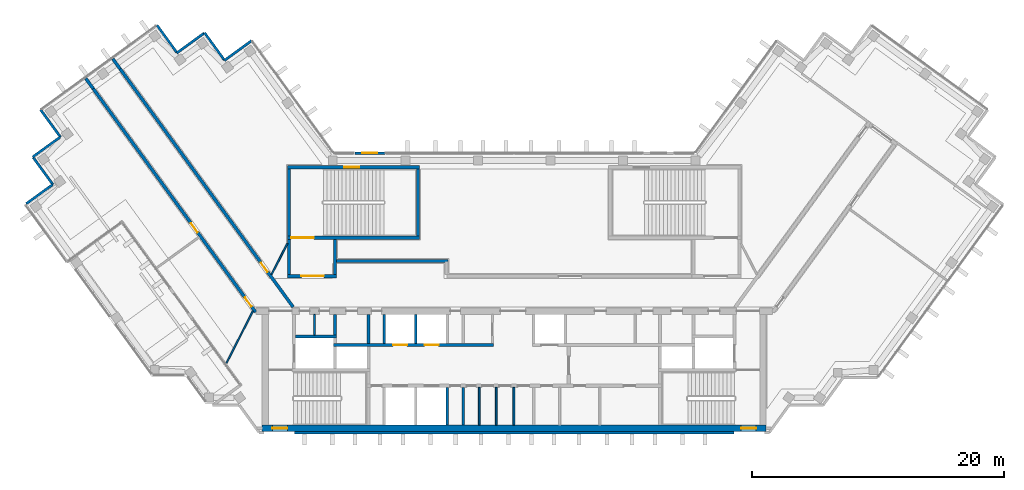
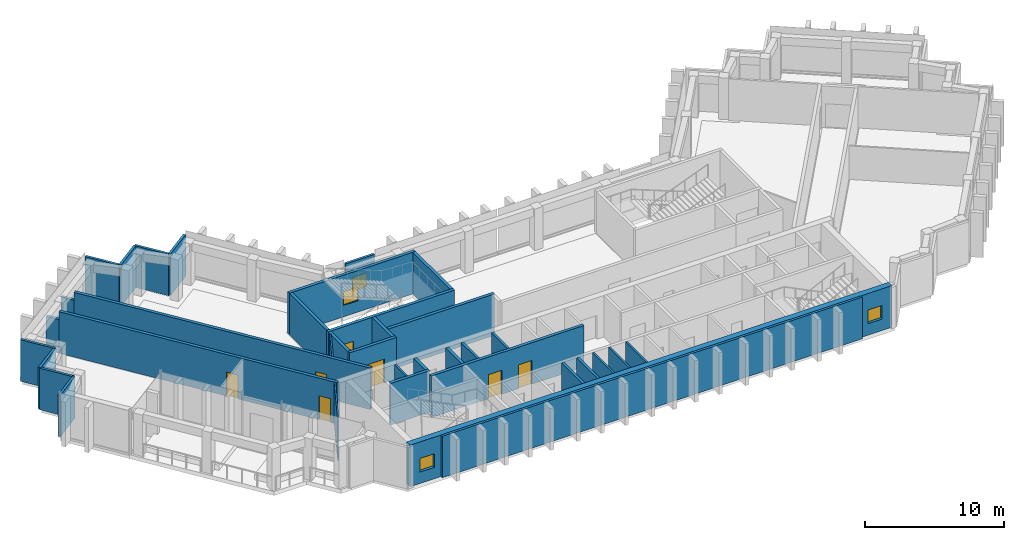
# One storey, part 5 of 10: 37 walls, 7 doors, 4 windows, 11 openings.
"""IFC4 building model written with IfcOpenShell, lengths in metres."""

from ifc_helpers import new_model, si_unit, direction, frame, frame_2d, origin, place, context, subcontext, project, spatial, rectangle, extrude, material, layer, layer_set, type_object, element, fill, save


model = new_model("IFC4")

# Units and contexts
model_context = context("Model", 3, precision=1e-05, world=origin(), true_north=direction((0.0, 1.0)))
body_context = subcontext(model_context, "Body", "Model", "MODEL_VIEW")
ifc_project = project(units=[si_unit("LENGTHUNIT", "METRE"), si_unit("AREAUNIT", "SQUARE_METRE"), si_unit("VOLUMEUNIT", "CUBIC_METRE"), si_unit("PLANEANGLEUNIT", "RADIAN"), si_unit("MASSUNIT", "GRAM", prefix="KILO")], contexts=[model_context])

# Site, building, storey
site_placement = place(None, origin())
site = spatial("IfcSite", under=ifc_project, at=site_placement, CompositionType="ELEMENT")
building_placement = place(site_placement, origin())
building = spatial("IfcBuilding", under=site, at=building_placement, Name="Quipu Civic Tower", CompositionType="ELEMENT")
storey_placement = place(building_placement, frame((0.0, 0.0, 265.0)))
storey = spatial("IfcBuildingStorey", under=building, at=storey_placement, Name="L62", CompositionType="ELEMENT", Elevation=265.0)

# Wall, openings, doors
ifc_material_1 = material(Name="Concrete C70/85", Category="concrete")
ifc_layer_1 = layer(ifc_material_1, 0.25)
ifc_layer_set_1 = layer_set([ifc_layer_1], Name="Concrete C70/85")
wall_type_1 = type_object("IfcWallType", Name="Core wall 250", PredefinedType="SHEAR", material=ifc_layer_set_1)
wall_1_placement = place(storey_placement, frame((-14.35009765625, -4.125, 0.0), z_axis=(0.0, 0.0, 1.0), x_axis=(1.0, 0.0, 0.0)))
wall_1 = element("IfcWall", 1, at=wall_1_placement, inside=storey, type_object=wall_type_1, Name="Core wall", PredefinedType="SHEAR", context=body_context, shape_type="SweptSolid", body=[
    extrude(rectangle(XDim=12.7001953125, YDim=0.25, at=frame_2d((6.35009765625, 0.0))), origin(), (0.0, 0.0, 1.0), 3.64990234375),
])
opening_1_placement = place(wall_1_placement, frame((4.75, 0.0, 0.0)))
opening_1 = element("IfcOpeningElement", 2, at=opening_1_placement, cuts=wall_1, Name="Opening LD-HL3", PredefinedType="OPENING", context=body_context, shape_type="SweptSolid", body=[
    extrude(rectangle(XDim=1.10009765625, YDim=2.10009765625, at=frame_2d((0.550048828125, 1.050048828125))), frame((0.0, 0.135009765625, 0.0), z_axis=(0.0, -1.0, 0.0), x_axis=(1.0, 0.0, 0.0)), (0.0, 0.0, 1.0), 0.27001953125),
])
opening_2_placement = place(wall_1_placement, frame((7.25, 0.0, 0.0)))
opening_2 = element("IfcOpeningElement", 3, at=opening_2_placement, cuts=wall_1, Name="Opening LD-HL4", PredefinedType="OPENING", context=body_context, shape_type="SweptSolid", body=[
    extrude(rectangle(XDim=1.10009765625, YDim=2.10009765625, at=frame_2d((0.550048828125, 1.050048828125))), frame((0.0, 0.135009765625, 0.0), z_axis=(0.0, -1.0, 0.0), x_axis=(1.0, 0.0, 0.0)), (0.0, 0.0, 1.0), 0.27001953125),
])
ifc_material_2 = material(Name="Stainless steel", Category="steel")
door_type_1 = type_object("IfcDoorType", Name="Lift landing door 1100 x 2100", OperationType="DOUBLE_DOOR_SLIDING", PredefinedType="DOOR", material=ifc_material_2)
door_1_placement = place(opening_1_placement, origin())
door_1 = element("IfcDoor", 4, at=door_1_placement, inside=storey, type_object=door_type_1, Name="Landing door HL3", OperationType="DOUBLE_DOOR_SLIDING", OverallHeight=2.10009765625, OverallWidth=1.10009765625, PredefinedType="DOOR", context=body_context, shape_type="SweptSolid", body=[
    extrude(rectangle(XDim=1.10009765625, YDim=2.10009765625, at=frame_2d((0.550048828125, 1.050048828125))), frame((0.0, 0.02490234375, 0.0), z_axis=(0.0, -1.0, 0.0), x_axis=(1.0, 0.0, 0.0)), (0.0, 0.0, 1.0), 0.050048828125),
])
fill(opening_1, door_1)
door_2_placement = place(opening_2_placement, origin())
door_2 = element("IfcDoor", 5, at=door_2_placement, inside=storey, type_object=door_type_1, Name="Landing door HL4", OperationType="DOUBLE_DOOR_SLIDING", OverallHeight=2.10009765625, OverallWidth=1.10009765625, PredefinedType="DOOR", context=body_context, shape_type="SweptSolid", body=[
    extrude(rectangle(XDim=1.10009765625, YDim=2.10009765625, at=frame_2d((0.550048828125, 1.050048828125))), frame((0.0, 0.02490234375, 0.0), z_axis=(0.0, -1.0, 0.0), x_axis=(1.0, 0.0, 0.0)), (0.0, 0.0, 1.0), 0.050048828125),
])
fill(opening_2, door_2)

# Walls
wall_2_placement = place(storey_placement, frame((-11.574951171875, -4.0, 0.0), z_axis=(0.0, 0.0, 1.0), x_axis=(0.0, 1.0, 0.0)))
element("IfcWall", 6, at=wall_2_placement, inside=storey, type_object=wall_type_1, Name="Core wall", PredefinedType="SHEAR", context=body_context, shape_type="SweptSolid", body=[
    extrude(rectangle(XDim=2.300048828125, YDim=0.25, at=frame_2d((1.14990234375, 0.0))), origin(), (0.0, 0.0, 1.0), 3.64990234375),
])
wall_3_placement = place(storey_placement, frame((-17.35009765625, -3.47509765625, 0.0), z_axis=(0.0, 0.0, 1.0), x_axis=(1.0, 0.0, 0.0)))
element("IfcWall", 7, at=wall_3_placement, inside=storey, type_object=wall_type_1, Name="Core wall", PredefinedType="SHEAR", context=body_context, shape_type="SweptSolid", body=[
    extrude(rectangle(XDim=3.25, YDim=0.25, at=frame_2d((1.625, 0.0))), origin(), (0.0, 0.0, 1.0), 3.64990234375),
])
wall_4_placement = place(storey_placement, frame((-14.22509765625, -3.35009765625, 0.0), z_axis=(0.0, 0.0, 1.0), x_axis=(0.0, 1.0, 0.0)))
element("IfcWall", 8, at=wall_4_placement, inside=storey, type_object=wall_type_1, Name="Core wall", PredefinedType="SHEAR", context=body_context, shape_type="SweptSolid", body=[
    extrude(rectangle(XDim=1.650146484375, YDim=0.25, at=frame_2d((0.8251953125, 0.0))), origin(), (0.0, 0.0, 1.0), 3.64990234375),
])

# Wall, opening, door
wall_5_placement = place(storey_placement, frame((-18.0, 1.324951171875, 0.0), z_axis=(0.0, 0.0, 1.0), x_axis=(1.0, 0.0, 0.0)))
wall_5 = element("IfcWall", 9, at=wall_5_placement, inside=storey, type_object=wall_type_1, Name="Core wall", PredefinedType="SHEAR", context=body_context, shape_type="SweptSolid", body=[
    extrude(rectangle(XDim=3.89990234375, YDim=0.25, at=frame_2d((1.949951171875, 0.0))), origin(), (0.0, 0.0, 1.0), 3.64990234375),
])
opening_3_placement = place(wall_5_placement, frame((1.10009765625, 0.0, 0.0)))
opening_3 = element("IfcOpeningElement", 10, at=opening_3_placement, cuts=wall_5, Name="Opening CD-26", PredefinedType="OPENING", context=body_context, shape_type="SweptSolid", body=[
    extrude(rectangle(XDim=1.800048828125, YDim=2.10009765625, at=frame_2d((0.89990234375, 1.050048828125))), frame((0.0, 0.135009765625, 0.0), z_axis=(0.0, -1.0, 0.0), x_axis=(1.0, 0.0, 0.0)), (0.0, 0.0, 1.0), 0.27001953125),
])
ifc_material_3 = material(Name="Fire rated steel door", Category="steel")
door_type_2 = type_object("IfcDoorType", Name="Fire door FD90 double 1800 x 2100", OperationType="NOTDEFINED", PredefinedType="DOOR", material=ifc_material_3)
door_3_placement = place(opening_3_placement, origin())
door_3 = element("IfcDoor", 11, at=door_3_placement, inside=storey, type_object=door_type_2, Name="Lobby door", OperationType="DOUBLE_DOOR_SINGLE_SWING", OverallHeight=2.10009765625, OverallWidth=1.800048828125, PredefinedType="DOOR", context=body_context, shape_type="SweptSolid", body=[
    extrude(rectangle(XDim=1.800048828125, YDim=2.10009765625, at=frame_2d((0.89990234375, 1.050048828125))), frame((0.0, 0.02490234375, 0.0), z_axis=(0.0, -1.0, 0.0), x_axis=(1.0, 0.0, 0.0)), (0.0, 0.0, 1.0), 0.050048828125),
])
fill(opening_3, door_3)

# Walls
for number, where, z_axis, x_axis, name in (
    (12, (-17.875, 1.449951171875, 0.0), (0.0, 0.0, 1.0), (0.0, 1.0, 0.0), "Core wall"),
    (13, (-14.22509765625, 1.449951171875, 0.0), (0.0, 0.0, 1.0), (0.0, 1.0, 0.0), "Core wall"),
):
    element("IfcWall", number, at=place(storey_placement, frame(where, z_axis=z_axis, x_axis=x_axis)), inside=storey, type_object=wall_type_1, Name=name, PredefinedType="SHEAR", context=body_context, shape_type="SweptSolid", body=[
        extrude(rectangle(XDim=2.800048828125, YDim=0.25, at=frame_2d((1.39990234375, 0.0))), origin(), (0.0, 0.0, 1.0), 3.64990234375),
    ])

# Wall, opening, door
wall_6_placement = place(storey_placement, frame((-18.0, 4.375, 0.0), z_axis=(0.0, 0.0, 1.0), x_axis=(1.0, 0.0, 0.0)))
wall_6 = element("IfcWall", 14, at=wall_6_placement, inside=storey, type_object=wall_type_1, Name="Core wall", PredefinedType="SHEAR", context=body_context, shape_type="SweptSolid", body=[
    extrude(rectangle(XDim=10.5, YDim=0.25, at=frame_2d((5.25, 0.0))), origin(), (0.0, 0.0, 1.0), 3.64990234375),
])
opening_4_placement = place(wall_6_placement, frame((0.300048828125, 0.0, 0.0)))
opening_4 = element("IfcOpeningElement", 15, at=opening_4_placement, cuts=wall_6, Name="Opening CD-27", PredefinedType="OPENING", context=body_context, shape_type="SweptSolid", body=[
    extrude(rectangle(XDim=1.800048828125, YDim=2.10009765625, at=frame_2d((0.89990234375, 1.050048828125))), frame((0.0, 0.135009765625, 0.0), z_axis=(0.0, -1.0, 0.0), x_axis=(1.0, 0.0, 0.0)), (0.0, 0.0, 1.0), 0.27001953125),
])
door_4_placement = place(opening_4_placement, origin())
door_4 = element("IfcDoor", 16, at=door_4_placement, inside=storey, type_object=door_type_2, Name="Door", OperationType="DOUBLE_DOOR_SINGLE_SWING", OverallHeight=2.10009765625, OverallWidth=1.800048828125, PredefinedType="DOOR", context=body_context, shape_type="SweptSolid", body=[
    extrude(rectangle(XDim=1.800048828125, YDim=2.10009765625, at=frame_2d((0.89990234375, 1.050048828125))), frame((0.0, 0.02490234375, 0.0), z_axis=(0.0, -1.0, 0.0), x_axis=(1.0, 0.0, 0.0)), (0.0, 0.0, 1.0), 0.050048828125),
])
fill(opening_4, door_4)

# Walls
for number, where, z_axis, x_axis, name in (
    (17, (-17.875, 4.5, 0.0), (0.0, 0.0, 1.0), (0.0, 1.0, 0.0), "Core wall"),
    (18, (-7.625, 4.5, 0.0), (0.0, 0.0, 1.0), (0.0, 1.0, 0.0), "Core wall"),
):
    element("IfcWall", number, at=place(storey_placement, frame(where, z_axis=z_axis, x_axis=x_axis)), inside=storey, type_object=wall_type_1, Name=name, PredefinedType="SHEAR", context=body_context, shape_type="SweptSolid", body=[
        extrude(rectangle(XDim=5.35009765625, YDim=0.25, at=frame_2d((2.675048828125, 0.0))), origin(), (0.0, 0.0, 1.0), 3.64990234375),
    ])

# Wall, opening, window
wall_7_placement = place(storey_placement, frame((-18.0, 9.97509765625, 0.0), z_axis=(0.0, 0.0, 1.0), x_axis=(1.0, 0.0, 0.0)))
wall_7 = element("IfcWall", 19, at=wall_7_placement, inside=storey, type_object=wall_type_1, Name="Core wall", PredefinedType="SHEAR", context=body_context, shape_type="SweptSolid", body=[
    extrude(rectangle(XDim=10.5, YDim=0.25, at=frame_2d((5.25, 0.0))), origin(), (0.0, 0.0, 1.0), 3.64990234375),
])
opening_5_placement = place(wall_7_placement, frame((4.5, 0.0, 1.0)))
opening_5 = element("IfcOpeningElement", 20, at=opening_5_placement, cuts=wall_7, Name="Opening SV-3", PredefinedType="OPENING", context=body_context, shape_type="SweptSolid", body=[
    extrude(rectangle(XDim=1.199951171875, YDim=1.199951171875, at=frame_2d((0.60009765625, 0.60009765625))), frame((0.0, 0.135009765625, 0.0), z_axis=(0.0, -1.0, 0.0), x_axis=(1.0, 0.0, 0.0)), (0.0, 0.0, 1.0), 0.27001953125),
])
ifc_material_4 = material(Name="Aluminium louvre", Category="aluminium")
window_type_1 = type_object("IfcWindowType", Name="Stair ventilation louvre 1200 x 1200", PartitioningType="SINGLE_PANEL", PredefinedType="WINDOW", material=ifc_material_4)
window_1_placement = place(opening_5_placement, origin())
window_1 = element("IfcWindow", 21, at=window_1_placement, inside=storey, type_object=window_type_1, Name="Stair ventilation opening", OverallHeight=1.199951171875, OverallWidth=1.199951171875, PartitioningType="SINGLE_PANEL", PredefinedType="WINDOW", context=body_context, shape_type="SweptSolid", body=[
    extrude(rectangle(XDim=1.199951171875, YDim=1.199951171875, at=frame_2d((0.60009765625, 0.60009765625))), frame((0.0, 0.030029296875, 0.0), z_axis=(0.0, -1.0, 0.0), x_axis=(1.0, 0.0, 0.0)), (0.0, 0.0, 1.0), 0.06005859375),
])
fill(opening_5, window_1)

# Wall, openings, windows
ifc_material_5 = material(Name="Concrete C70/85", Category="concrete")
ifc_layer_2 = layer(ifc_material_5, 0.5)
ifc_layer_set_2 = layer_set([ifc_layer_2], Name="Concrete C70/85")
wall_type_2 = type_object("IfcWallType", Name="Core wall 500", PredefinedType="SHEAR", material=ifc_layer_set_2)
wall_8_placement = place(storey_placement, frame((-20.0, -10.75, 0.0), z_axis=(0.0, 0.0, 1.0), x_axis=(1.0, 0.0, 0.0)))
wall_8 = element("IfcWall", 22, at=wall_8_placement, inside=storey, type_object=wall_type_2, Name="Core wall", PredefinedType="SHEAR", context=body_context, shape_type="SweptSolid", body=[
    extrude(rectangle(XDim=40.0, YDim=0.5, at=frame_2d((20.0, 0.0))), origin(), (0.0, 0.0, 1.0), 3.64990234375),
])
opening_6_placement = place(wall_8_placement, frame((0.800048828125, 0.0, 1.0)))
opening_6 = element("IfcOpeningElement", 23, at=opening_6_placement, cuts=wall_8, Name="Opening SV-1", PredefinedType="OPENING", context=body_context, shape_type="SweptSolid", body=[
    extrude(rectangle(XDim=1.199951171875, YDim=1.199951171875, at=frame_2d((0.60009765625, 0.60009765625))), frame((0.0, 0.260009765625, 0.0), z_axis=(0.0, -1.0, 0.0), x_axis=(1.0, 0.0, 0.0)), (0.0, 0.0, 1.0), 0.52001953125),
])
opening_7_placement = place(wall_8_placement, frame((38.0, 0.0, 1.0)))
opening_7 = element("IfcOpeningElement", 24, at=opening_7_placement, cuts=wall_8, Name="Opening SV-2", PredefinedType="OPENING", context=body_context, shape_type="SweptSolid", body=[
    extrude(rectangle(XDim=1.199951171875, YDim=1.199951171875, at=frame_2d((0.60009765625, 0.60009765625))), frame((0.0, 0.260009765625, 0.0), z_axis=(0.0, -1.0, 0.0), x_axis=(1.0, 0.0, 0.0)), (0.0, 0.0, 1.0), 0.52001953125),
])
window_2_placement = place(opening_6_placement, origin())
window_2 = element("IfcWindow", 25, at=window_2_placement, inside=storey, type_object=window_type_1, Name="Stair ventilation opening", OverallHeight=1.199951171875, OverallWidth=1.199951171875, PartitioningType="SINGLE_PANEL", PredefinedType="WINDOW", context=body_context, shape_type="SweptSolid", body=[
    extrude(rectangle(XDim=1.199951171875, YDim=1.199951171875, at=frame_2d((0.60009765625, 0.60009765625))), frame((0.0, 0.030029296875, 0.0), z_axis=(0.0, -1.0, 0.0), x_axis=(1.0, 0.0, 0.0)), (0.0, 0.0, 1.0), 0.06005859375),
])
fill(opening_6, window_2)
window_3_placement = place(opening_7_placement, origin())
window_3 = element("IfcWindow", 26, at=window_3_placement, inside=storey, type_object=window_type_1, Name="Stair ventilation opening", OverallHeight=1.199951171875, OverallWidth=1.199951171875, PartitioningType="SINGLE_PANEL", PredefinedType="WINDOW", context=body_context, shape_type="SweptSolid", body=[
    extrude(rectangle(XDim=1.199951171875, YDim=1.199951171875, at=frame_2d((0.60009765625, 0.60009765625))), frame((0.0, 0.030029296875, 0.0), z_axis=(0.0, -1.0, 0.0), x_axis=(1.0, 0.0, 0.0)), (0.0, 0.0, 1.0), 0.06005859375),
])
fill(opening_7, window_3)

# Wall, openings, doors
ifc_material_6 = material(Name="Concrete C50/60", Category="concrete")
ifc_layer_3 = layer(ifc_material_6, 0.25)
ifc_layer_set_3 = layer_set([ifc_layer_3], Name="Concrete C50/60")
wall_type_3 = type_object("IfcWallType", Name="Corridor wall 250 concrete", PredefinedType="SOLIDWALL", material=ifc_layer_set_3)
wall_9_placement = place(storey_placement, frame((-20.531005859375, -1.5234375, 0.0), z_axis=(0.0, 0.0, 1.0), x_axis=(-0.587786711753, 0.809015934013, 0.0)))
wall_9 = element("IfcWall", 27, at=wall_9_placement, inside=storey, type_object=wall_type_3, Name="Corridor wall C05", PredefinedType="SOLIDWALL", context=body_context, shape_type="SweptSolid", body=[
    extrude(rectangle(XDim=21.911376953125, YDim=0.25, at=frame_2d((10.95556640625, 0.0))), origin(), (0.0, 0.0, 1.0), 3.64990234375),
])
opening_8_placement = place(wall_9_placement, frame((0.53271484375, 0.0, 0.0)))
opening_8 = element("IfcOpeningElement", 28, at=opening_8_placement, cuts=wall_9, Name="Opening D008", PredefinedType="OPENING", context=body_context, shape_type="SweptSolid", body=[
    extrude(rectangle(XDim=0.89990234375, YDim=2.10009765625, at=frame_2d((0.449951171875, 1.050048828125))), frame((0.0, 0.135009765625, 0.0), z_axis=(0.0, -1.0, 0.0), x_axis=(1.0, 0.0, 0.0)), (0.0, 0.0, 1.0), 0.27001953125),
])
opening_9_placement = place(wall_9_placement, frame((7.81591796875, 0.0, 0.0)))
opening_9 = element("IfcOpeningElement", 29, at=opening_9_placement, cuts=wall_9, Name="Opening D007", PredefinedType="OPENING", context=body_context, shape_type="SweptSolid", body=[
    extrude(rectangle(XDim=0.89990234375, YDim=2.10009765625, at=frame_2d((0.449951171875, 1.050048828125))), frame((0.0, 0.135009765625, 0.0), z_axis=(0.0, -1.0, 0.0), x_axis=(1.0, 0.0, 0.0)), (0.0, 0.0, 1.0), 0.27001953125),
])
ifc_material_7 = material(Name="Fire rated timber door set with metal frame", Category="wood")
door_type_3 = type_object("IfcDoorType", Name="Single door 900 x 2100 FD60", OperationType="NOTDEFINED", PredefinedType="DOOR", material=ifc_material_7)
door_5_placement = place(opening_8_placement, origin())
door_5 = element("IfcDoor", 30, at=door_5_placement, inside=storey, type_object=door_type_3, Name="Door D008", OperationType="SINGLE_SWING_LEFT", OverallHeight=2.10009765625, OverallWidth=0.89990234375, PredefinedType="DOOR", context=body_context, shape_type="SweptSolid", body=[
    extrude(rectangle(XDim=0.89990234375, YDim=2.10009765625, at=frame_2d((0.449951171875, 1.050048828125))), frame((0.0, 0.02490234375, 0.0), z_axis=(0.0, -1.0, 0.0), x_axis=(1.0, 0.0, 0.0)), (0.0, 0.0, 1.0), 0.050048828125),
])
fill(opening_8, door_5)
door_6_placement = place(opening_9_placement, origin())
door_6 = element("IfcDoor", 31, at=door_6_placement, inside=storey, type_object=door_type_3, Name="Door D007", OperationType="SINGLE_SWING_LEFT", OverallHeight=2.10009765625, OverallWidth=0.89990234375, PredefinedType="DOOR", context=body_context, shape_type="SweptSolid", body=[
    extrude(rectangle(XDim=0.89990234375, YDim=2.10009765625, at=frame_2d((0.449951171875, 1.050048828125))), frame((0.0, 0.02490234375, 0.0), z_axis=(0.0, -1.0, 0.0), x_axis=(1.0, 0.0, 0.0)), (0.0, 0.0, 1.0), 0.050048828125),
])
fill(opening_9, door_6)

# Wall, opening, door
wall_10_placement = place(storey_placement, frame((-31.266845703125, 17.76171875, 0.0), z_axis=(0.0, 0.0, 1.0), x_axis=(0.587787966774, -0.809015022181, 0.0)))
wall_10 = element("IfcWall", 32, at=wall_10_placement, inside=storey, type_object=wall_type_3, Name="Corridor wall C06", PredefinedType="SOLIDWALL", context=body_context, shape_type="SweptSolid", body=[
    extrude(rectangle(XDim=23.344970703125, YDim=0.25, at=frame_2d((11.67236328125, 0.0))), origin(), (0.0, 0.0, 1.0), 3.64990234375),
])
opening_10_placement = place(wall_10_placement, frame((19.003662109375, 0.0, 0.0)))
opening_10 = element("IfcOpeningElement", 33, at=opening_10_placement, cuts=wall_10, Name="Opening D006", PredefinedType="OPENING", context=body_context, shape_type="SweptSolid", body=[
    extrude(rectangle(XDim=0.89990234375, YDim=2.10009765625, at=frame_2d((0.449951171875, 1.050048828125))), frame((0.0, 0.135009765625, 0.0), z_axis=(0.0, -1.0, 0.0), x_axis=(1.0, 0.0, 0.0)), (0.0, 0.0, 1.0), 0.27001953125),
])
door_7_placement = place(opening_10_placement, origin())
door_7 = element("IfcDoor", 34, at=door_7_placement, inside=storey, type_object=door_type_3, Name="Door D006", OperationType="SINGLE_SWING_RIGHT", OverallHeight=2.10009765625, OverallWidth=0.89990234375, PredefinedType="DOOR", context=body_context, shape_type="SweptSolid", body=[
    extrude(rectangle(XDim=0.89990234375, YDim=2.10009765625, at=frame_2d((0.449951171875, 1.050048828125))), frame((0.0, 0.02490234375, 0.0), z_axis=(0.0, -1.0, 0.0), x_axis=(1.0, 0.0, 0.0)), (0.0, 0.0, 1.0), 0.050048828125),
])
fill(opening_10, door_7)

# Walls
wall_11_placement = place(storey_placement, frame((-14.090087890625, 2.52490234375, 0.0), z_axis=(0.0, 0.0, 1.0), x_axis=(1.0, 0.0, 0.0)))
element("IfcWall", 35, at=wall_11_placement, inside=storey, type_object=wall_type_3, Name="Corridor wall C07", PredefinedType="SOLIDWALL", context=body_context, shape_type="SweptSolid", body=[
    extrude(rectangle(XDim=8.840087890625, YDim=0.25, at=frame_2d((4.419921875, 0.0))), origin(), (0.0, 0.0, 1.0), 3.64990234375),
])
wall_12_placement = place(storey_placement, frame((-33.41015625, 16.203125, 0.0), z_axis=(0.0, 0.0, 1.0), x_axis=(-0.587696850957, 0.809081214326, 0.0)))
element("IfcWall", 36, at=wall_12_placement, inside=storey, type_object=wall_type_3, Name="Corridor wall C05", PredefinedType="SOLIDWALL", context=body_context, shape_type="SweptSolid", body=[
    extrude(rectangle(XDim=1.009033203125, YDim=0.25, at=frame_2d((0.50439453125, 0.0))), origin(), (0.0, 0.0, 1.0), 2.949951171875),
])
wall_13_placement = place(storey_placement, frame((-31.266845703125, 17.76171875, 0.0), z_axis=(0.0, 0.0, 1.0), x_axis=(-0.587840411638, 0.808976915892, 0.0)))
element("IfcWall", 37, at=wall_13_placement, inside=storey, type_object=wall_type_3, Name="Corridor wall C06", PredefinedType="SOLIDWALL", context=body_context, shape_type="SweptSolid", body=[
    extrude(rectangle(XDim=1.008056640625, YDim=0.25, at=frame_2d((0.50390625, 0.0))), origin(), (0.0, 0.0, 1.0), 2.949951171875),
])
ifc_material_8 = material(Name="Gypsum plasterboard on light gauge framing")
ifc_layer_4 = layer(ifc_material_8, 0.1201171875)
ifc_layer_set_4 = layer_set([ifc_layer_4], Name="Gypsum plasterboard on light gauge framing")
wall_type_4 = type_object("IfcWallType", Name="Partition 120 plasterboard", PredefinedType="PARTITIONING", material=ifc_layer_set_4)
wall_14_placement = place(storey_placement, frame((-19.260986328125, 1.449951171875, 0.0), z_axis=(0.0, 0.0, 1.0), x_axis=(0.453950796792, 0.891026752736, 0.0)))
element("IfcWall", 38, at=wall_14_placement, inside=storey, type_object=wall_type_4, Name="Partition P06", PredefinedType="PARTITIONING", context=body_context, shape_type="SweptSolid", body=[
    extrude(rectangle(XDim=2.77783203125, YDim=0.1201171875, at=frame_2d((1.388916015625, 0.0))), origin(), (0.0, 0.0, 1.0), 3.64990234375),
])
wall_15_placement = place(storey_placement, frame((-22.840087890625, -5.57421875, 0.0), z_axis=(0.0, 0.0, 1.0), x_axis=(0.453931312426, 0.891036679155, 0.0)))
element("IfcWall", 39, at=wall_15_placement, inside=storey, type_object=wall_type_4, Name="Partition P07", PredefinedType="PARTITIONING", context=body_context, shape_type="SweptSolid", body=[
    extrude(rectangle(XDim=4.628662109375, YDim=0.1201171875, at=frame_2d((2.314453125, 0.0))), origin(), (0.0, 0.0, 1.0), 3.64990234375),
])
ifc_material_9 = material(Name="Gypsum board partition")
ifc_layer_5 = layer(ifc_material_9, 0.14990234375)
ifc_layer_set_5 = layer_set([ifc_layer_5], Name="Gypsum board partition")
wall_type_5 = type_object("IfcWallType", Name="Partition 150", PredefinedType="PARTITIONING", material=ifc_layer_set_5)
for number, where, z_axis, x_axis, name in (
    (40, (-2.77490234375, -10.5, 0.0), (0.0, 0.0, 1.0), (0.0, 1.0, 0.0), "Partition"),
    (41, (-1.425048828125, -10.5, 0.0), (0.0, 0.0, 1.0), (0.0, 1.0, 0.0), "Partition"),
    (42, (-0.02490234375, -10.5, 0.0), (0.0, 0.0, 1.0), (0.0, 1.0, 0.0), "Partition"),
):
    element("IfcWall", number, at=place(storey_placement, frame(where, z_axis=z_axis, x_axis=x_axis)), inside=storey, type_object=wall_type_5, Name=name, PredefinedType="PARTITIONING", context=body_context, shape_type="SweptSolid", body=[
        extrude(rectangle(XDim=3.0, YDim=0.14990234375, at=frame_2d((1.5, 0.0))), origin(), (0.0, 0.0, 1.0), 3.64990234375),
    ])
wall_16_placement = place(storey_placement, frame((-15.85009765625, -3.35009765625, 0.0), z_axis=(0.0, 0.0, 1.0), x_axis=(0.0, 1.0, 0.0)))
element("IfcWall", 43, at=wall_16_placement, inside=storey, type_object=wall_type_5, Name="Partition", PredefinedType="PARTITIONING", context=body_context, shape_type="SweptSolid", body=[
    extrude(rectangle(XDim=1.650146484375, YDim=0.14990234375, at=frame_2d((0.8251953125, 0.0))), origin(), (0.0, 0.0, 1.0), 3.64990234375),
])
ifc_material_10 = material(Name="Precast concrete C40/50", Category="concrete")
wall_type_6 = type_object("IfcWallType", Name="Precast cladding wall", PredefinedType="SOLIDWALL", material=ifc_material_10)
wall_17_placement = place(storey_placement, frame((-36.62939453125, 8.597412109375, 0.0), z_axis=(0.0, 0.0, 1.0), x_axis=(-0.80901210161, -0.587791986546, 0.0)))
element("IfcWall", 44, at=wall_17_placement, inside=storey, type_object=wall_type_6, Name="Precast cladding wall L62 P01", PredefinedType="SOLIDWALL", context=body_context, shape_type="SweptSolid", body=[
    extrude(rectangle(XDim=2.60009765625, YDim=0.199951171875, at=frame_2d((1.300048828125, 0.0))), origin(), (0.0, 0.0, 1.0), 3.64990234375),
])
for number, where, z_axis, x_axis, name in (
    (45, (-36.031982421875, 12.36865234375, 0.0), (0.0, 0.0, 1.0), (-0.809033161865, -0.587762999008, 0.0), "Precast cladding wall L62 P02"),
    (46, (-38.189208984375, 10.7646484375, 0.0), (0.0, 0.0, 1.0), (0.587822180636, -0.808990163075, 0.0), "Precast cladding wall L62 P03"),
):
    element("IfcWall", number, at=place(storey_placement, frame(where, z_axis=z_axis, x_axis=x_axis)), inside=storey, type_object=wall_type_6, Name=name, PredefinedType="SOLIDWALL", context=body_context, shape_type="SweptSolid", body=[
        extrude(rectangle(XDim=2.699951171875, YDim=0.199951171875, at=frame_2d((1.35009765625, 0.0))), origin(), (0.0, 0.0, 1.0), 3.64990234375),
    ])
wall_18_placement = place(storey_placement, frame((-17.44384765625, -11.087890625, 0.0), z_axis=(0.0, 0.0, 1.0), x_axis=(1.0, 0.0, 0.0)))
element("IfcWall", 47, at=wall_18_placement, inside=storey, type_object=wall_type_6, Name="Precast cladding wall L62 10", PredefinedType="SOLIDWALL", context=body_context, shape_type="SweptSolid", body=[
    extrude(rectangle(XDim=34.8876953125, YDim=0.199951171875, at=frame_2d((17.44384765625, 0.0))), origin(), (0.0, 0.0, 1.0), 3.64990234375),
])

# Wall, opening, window
wall_19_placement = place(storey_placement, frame((-10.263427734375, 11.10009765625, 0.0), z_axis=(0.0, 0.0, 1.0), x_axis=(-1.0, 0.0, 0.0)))
wall_19 = element("IfcWall", 48, at=wall_19_placement, inside=storey, type_object=wall_type_6, Name="Vent surround SF-L62-1", PredefinedType="SOLIDWALL", context=body_context, shape_type="SweptSolid", body=[
    extrude(rectangle(XDim=2.3916015625, YDim=0.199951171875, at=frame_2d((1.19580078125, 0.0))), origin(), (0.0, 0.0, 1.0), 3.64990234375),
])
opening_11_placement = place(wall_19_placement, frame((0.595703125, 0.0, 1.0)))
opening_11 = element("IfcOpeningElement", 49, at=opening_11_placement, cuts=wall_19, Name="Opening SF-L62-1", PredefinedType="OPENING", context=body_context, shape_type="SweptSolid", body=[
    extrude(rectangle(XDim=1.199951171875, YDim=1.199951171875, at=frame_2d((0.60009765625, 0.60009765625))), frame((0.0, 0.10986328125, 0.0), z_axis=(0.0, -1.0, 0.0), x_axis=(1.0, 0.0, 0.0)), (0.0, 0.0, 1.0), 0.219970703125),
])
ifc_material_11 = material(Name="Anodised aluminium louvre", Category="aluminium")
window_type_2 = type_object("IfcWindowType", Name="Stair vent louvre window P3", PartitioningType="SINGLE_PANEL", PredefinedType="WINDOW", material=ifc_material_11)
window_4_placement = place(opening_11_placement, origin())
window_4 = element("IfcWindow", 50, at=window_4_placement, inside=storey, type_object=window_type_2, Name="Stair vent louvre SF-L62-1", OverallHeight=1.199951171875, OverallWidth=1.199951171875, PartitioningType="SINGLE_PANEL", PredefinedType="WINDOW", context=body_context, shape_type="SweptSolid", body=[
    extrude(rectangle(XDim=1.199951171875, YDim=1.199951171875, at=frame_2d((0.60009765625, 0.60009765625))), frame((0.0, 0.030029296875, 0.0), z_axis=(0.0, -1.0, 0.0), x_axis=(1.0, 0.0, 0.0)), (0.0, 0.0, 1.0), 0.06005859375),
])
fill(opening_11, window_4)

# Walls
for number, where, z_axis, x_axis, name in (
    (51, (-20.828857421875, 20.025390625, 0.0), (0.0, 0.0, 1.0), (-0.808990163075, -0.587822180636, 0.0), "Precast cladding wall L62 33"),
    (52, (-22.996337890625, 18.465576171875, 0.0), (0.0, 0.0, 1.0), (-0.587762999008, 0.809033161865, 0.0), "Precast cladding wall L62 34"),
):
    element("IfcWall", number, at=place(storey_placement, frame(where, z_axis=z_axis, x_axis=x_axis)), inside=storey, type_object=wall_type_6, Name=name, PredefinedType="SOLIDWALL", context=body_context, shape_type="SweptSolid", body=[
        extrude(rectangle(XDim=2.699951171875, YDim=0.199951171875, at=frame_2d((1.35009765625, 0.0))), origin(), (0.0, 0.0, 1.0), 3.64990234375),
    ])
for number, where, z_axis, x_axis, name in (
    (53, (-24.60009765625, 20.62255859375, 0.0), (0.0, 0.0, 1.0), (-0.809064397168, -0.587720002413, 0.0), "Precast cladding wall L62 35"),
    (54, (-26.767578125, 19.062744140625, 0.0), (0.0, 0.0, 1.0), (-0.587720002413, 0.809064397168, 0.0), "Precast cladding wall L62 36"),
):
    element("IfcWall", number, at=place(storey_placement, frame(where, z_axis=z_axis, x_axis=x_axis)), inside=storey, type_object=wall_type_6, Name=name, PredefinedType="SOLIDWALL", context=body_context, shape_type="SweptSolid", body=[
        extrude(rectangle(XDim=2.7001953125, YDim=0.199951171875, at=frame_2d((1.35009765625, 0.0))), origin(), (0.0, 0.0, 1.0), 3.64990234375),
    ])
wall_20_placement = place(storey_placement, frame((-37.591796875, 14.535888671875, 0.0), z_axis=(0.0, 0.0, 1.0), x_axis=(0.587762999008, -0.809033161865, 0.0)))
element("IfcWall", 55, at=wall_20_placement, inside=storey, type_object=wall_type_6, Name="Precast cladding wall L62 38", PredefinedType="SOLIDWALL", context=body_context, shape_type="SweptSolid", body=[
    extrude(rectangle(XDim=2.699951171875, YDim=0.199951171875, at=frame_2d((1.35009765625, 0.0))), origin(), (0.0, 0.0, 1.0), 3.64990234375),
])
ifc_material_12 = material(Name="Concrete C40/50", Category="concrete")
ifc_layer_6 = layer(ifc_material_12, 0.199951171875)
ifc_layer_set_6 = layer_set([ifc_layer_6], Name="Concrete C40/50")
wall_type_7 = type_object("IfcWallType", Name="Shaft wall 200", PredefinedType="SOLIDWALL", material=ifc_layer_set_6)
for number, where, z_axis, x_axis, name in (
    (56, (-5.300048828125, -10.5, 0.0), (0.0, 0.0, 1.0), (0.0, 1.0, 0.0), "Shaft wall"),
    (57, (-4.050048828125, -10.5, 0.0), (0.0, 0.0, 1.0), (0.0, 1.0, 0.0), "Shaft wall"),
):
    element("IfcWall", number, at=place(storey_placement, frame(where, z_axis=z_axis, x_axis=x_axis)), inside=storey, type_object=wall_type_7, Name=name, PredefinedType="SOLIDWALL", context=body_context, shape_type="SweptSolid", body=[
        extrude(rectangle(XDim=3.0, YDim=0.199951171875, at=frame_2d((1.5, 0.0))), origin(), (0.0, 0.0, 1.0), 3.64990234375),
    ])
for number, where, z_axis, x_axis, name in (
    (58, (-10.300048828125, -4.0, 0.0), (0.0, 0.0, 1.0), (0.0, 1.0, 0.0), "Shaft wall"),
    (59, (-7.800048828125, -4.0, 0.0), (0.0, 0.0, 1.0), (0.0, 1.0, 0.0), "Shaft wall"),
):
    element("IfcWall", number, at=place(storey_placement, frame(where, z_axis=z_axis, x_axis=x_axis)), inside=storey, type_object=wall_type_7, Name=name, PredefinedType="SOLIDWALL", context=body_context, shape_type="SweptSolid", body=[
        extrude(rectangle(XDim=2.300048828125, YDim=0.199951171875, at=frame_2d((1.14990234375, 0.0))), origin(), (0.0, 0.0, 1.0), 3.64990234375),
    ])

save(model, "model.ifc")
